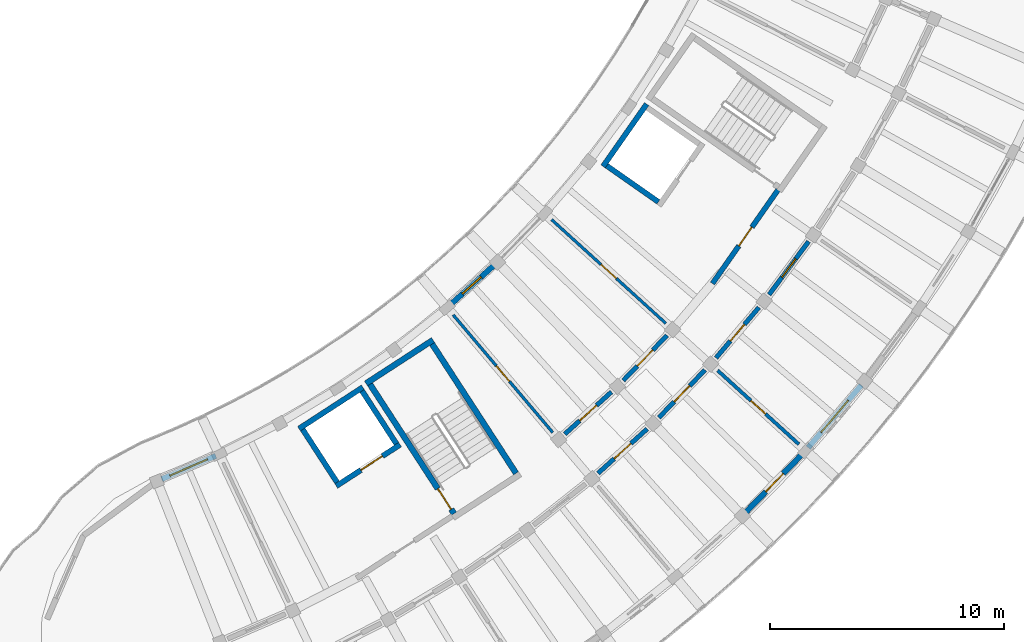
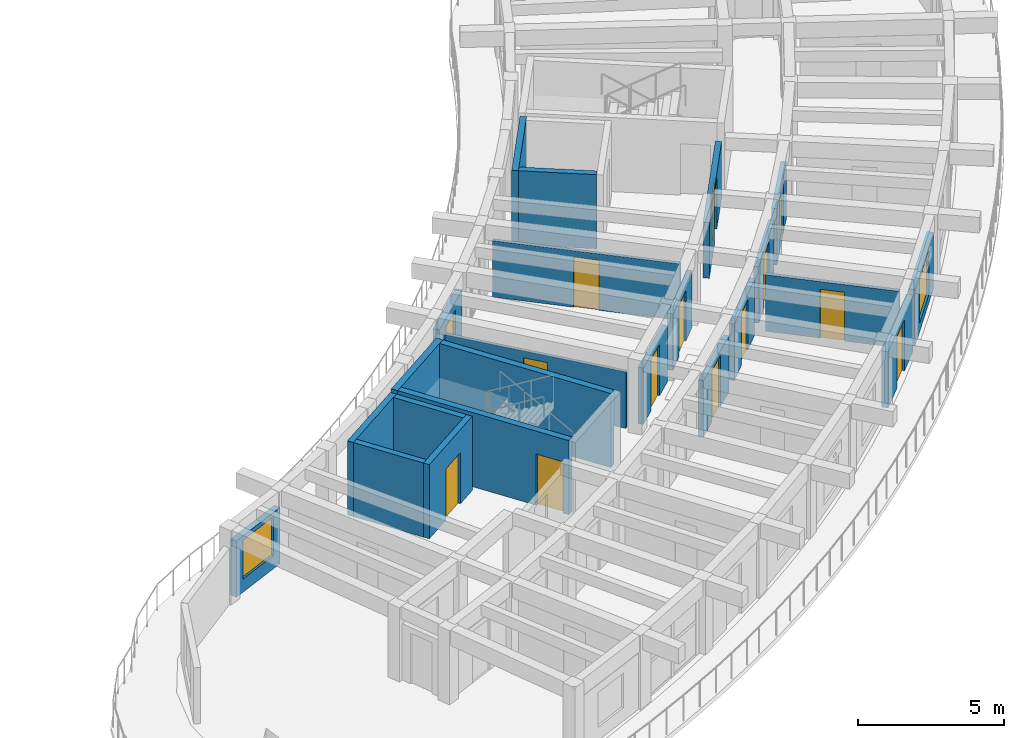
# One storey, part 53 of 83: 23 walls, 13 doors, 3 windows, 16 openings.
"""IFC4 building model written with IfcOpenShell, lengths in metres."""

from ifc_helpers import new_model, si_unit, direction, frame, frame_2d, origin, place, context, subcontext, project, spatial, rectangle, extrude, material, layer, layer_set, type_object, element, fill, save


model = new_model("IFC4")

# Units and contexts
model_context = context("Model", 3, precision=1e-05, world=origin(), true_north=direction((0.0, 1.0)))
body_context = subcontext(model_context, "Body", "Model", "MODEL_VIEW")
ifc_project = project(units=[si_unit("LENGTHUNIT", "METRE"), si_unit("AREAUNIT", "SQUARE_METRE"), si_unit("VOLUMEUNIT", "CUBIC_METRE"), si_unit("PLANEANGLEUNIT", "RADIAN"), si_unit("MASSUNIT", "GRAM", prefix="KILO")], contexts=[model_context])

# Site, building, storey
site_placement = place(None, origin())
site = spatial("IfcSite", under=ifc_project, at=site_placement, CompositionType="ELEMENT")
building_placement = place(site_placement, origin())
building = spatial("IfcBuilding", under=site, at=building_placement, Name="Tanwirah Colonnade Gardens", CompositionType="ELEMENT")
storey_placement = place(building_placement, frame((0.0, 0.0, 25.639892578125)))
storey = spatial("IfcBuildingStorey", under=building, at=storey_placement, Name="L07", CompositionType="ELEMENT", Elevation=25.639892578125)

# Wall, opening, window
ifc_material_1 = material(Name="Limestone architectural precast concrete C40/50", Category="masonry")
ifc_layer_1 = layer(ifc_material_1, 0.239990234375)
ifc_layer_set_1 = layer_set([ifc_layer_1], Name="Limestone architectural precast concrete C40/50")
wall_type_1 = type_object("IfcWallType", Name="EW-PC240", PredefinedType="SOLIDWALL", material=ifc_layer_set_1)
wall_1_placement = place(storey_placement, frame((137.49755859375, 23.232177734375, 0.0), z_axis=(0.0, 0.0, 1.0), x_axis=(0.917939882583, 0.39671951296, 0.0)))
wall_1 = element("IfcWall", 1, at=wall_1_placement, inside=storey, type_object=wall_type_1, Name="Block D L07 IN Precast Facade Wall 2", PredefinedType="SOLIDWALL", context=body_context, shape_type="SweptSolid", body=[
    extrude(rectangle(XDim=2.523681640625, YDim=0.239990234375, at=frame_2d((1.26171875, 0.0))), origin(), (0.0, 0.0, 1.0), 2.355224609375),
])
opening_1_placement = place(wall_1_placement, frame((0.3818359375, 0.0, 0.550048828125)))
opening_1 = element("IfcOpeningElement", 2, at=opening_1_placement, cuts=wall_1, Name="Opening WIN-U16", PredefinedType="OPENING", context=body_context, shape_type="SweptSolid", body=[
    extrude(rectangle(XDim=1.760009765625, YDim=1.635009765625, at=frame_2d((0.8798828125, 0.8173828125))), frame((0.0, 0.1298828125, 0.0), z_axis=(0.0, -1.0, 0.0), x_axis=(1.0, 0.0, 0.0)), (0.0, 0.0, 1.0), 0.260009765625),
])
ifc_material_2 = material(Name="Thermally broken bronze aluminium and solar low-E double glazing", Category="aluminium")
window_type_1 = type_object("IfcWindowType", Name="WIN-U16", PartitioningType="DOUBLE_PANEL_VERTICAL", PredefinedType="WINDOW", material=ifc_material_2)
window_1_placement = place(opening_1_placement, origin())
window_1 = element("IfcWindow", 3, at=window_1_placement, inside=storey, type_object=window_type_1, Name="Facade window D-L07-IN-02", OverallHeight=1.635009765625, OverallWidth=1.760009765625, PartitioningType="SINGLE_PANEL", PredefinedType="WINDOW", context=body_context, shape_type="SweptSolid", body=[
    extrude(rectangle(XDim=1.760009765625, YDim=1.635009765625, at=frame_2d((0.8798828125, 0.8173828125))), frame((0.0, 0.030029296875, 0.0), z_axis=(0.0, -1.0, 0.0), x_axis=(1.0, 0.0, 0.0)), (0.0, 0.0, 1.0), 0.06005859375),
])
fill(opening_1, window_1)

wall_2_placement = place(storey_placement, frame((149.8388671875, 30.681640625, 0.0), z_axis=(0.0, 0.0, 1.0), x_axis=(0.741670976634, 0.670763864873, 0.0)))
wall_2 = element("IfcWall", 4, at=wall_2_placement, inside=storey, type_object=wall_type_1, Name="Block D L07 IN Precast Facade Wall 7", PredefinedType="SOLIDWALL", context=body_context, shape_type="SweptSolid", body=[
    extrude(rectangle(XDim=2.523681640625, YDim=0.239990234375, at=frame_2d((1.26171875, 0.0))), origin(), (0.0, 0.0, 1.0), 2.355224609375),
])
opening_2_placement = place(wall_2_placement, frame((0.721923828125, 0.0, 0.550048828125)))
opening_2 = element("IfcOpeningElement", 5, at=opening_2_placement, cuts=wall_2, Name="Opening WIN-T15", PredefinedType="OPENING", context=body_context, shape_type="SweptSolid", body=[
    extrude(rectangle(XDim=1.080078125, YDim=1.449951171875, at=frame_2d((0.5400390625, 0.72509765625))), frame((0.0, 0.1298828125, 0.0), z_axis=(0.0, -1.0, 0.0), x_axis=(1.0, 0.0, 0.0)), (0.0, 0.0, 1.0), 0.260009765625),
])
window_type_2 = type_object("IfcWindowType", Name="WIN-T15", PartitioningType="SINGLE_PANEL", PredefinedType="WINDOW", material=ifc_material_2)
window_2_placement = place(opening_2_placement, origin())
window_2 = element("IfcWindow", 6, at=window_2_placement, inside=storey, type_object=window_type_2, Name="Facade window D-L07-IN-07", OverallHeight=1.449951171875, OverallWidth=1.080078125, PartitioningType="SINGLE_PANEL", PredefinedType="WINDOW", context=body_context, shape_type="SweptSolid", body=[
    extrude(rectangle(XDim=1.080078125, YDim=1.449951171875, at=frame_2d((0.5400390625, 0.72509765625))), frame((0.0, 0.030029296875, 0.0), z_axis=(0.0, -1.0, 0.0), x_axis=(1.0, 0.0, 0.0)), (0.0, 0.0, 1.0), 0.06005859375),
])
fill(opening_2, window_2)

# Wall, opening, door
wall_3_placement = place(storey_placement, frame((162.523681640625, 21.824951171875, 0.0), z_axis=(0.0, 0.0, 1.0), x_axis=(0.696213152496, 0.717835110797, 0.0)))
wall_3 = element("IfcWall", 7, at=wall_3_placement, inside=storey, type_object=wall_type_1, Name="Block D L07 OUT Precast Facade Wall 8", PredefinedType="SOLIDWALL", context=body_context, shape_type="SweptSolid", body=[
    extrude(rectangle(XDim=3.51171875, YDim=0.239990234375, at=frame_2d((1.755859375, 0.0))), origin(), (0.0, 0.0, 1.0), 2.355224609375),
])
opening_3_placement = place(wall_3_placement, frame((1.2158203125, 0.0, 0.0)))
opening_3 = element("IfcOpeningElement", 8, at=opening_3_placement, cuts=wall_3, Name="Opening L07-ED208", PredefinedType="OPENING", context=body_context, shape_type="SweptSolid", body=[
    extrude(rectangle(XDim=1.080078125, YDim=2.14990234375, at=frame_2d((0.5400390625, 1.074951171875))), frame((0.0, 0.1298828125, 0.0), z_axis=(0.0, -1.0, 0.0), x_axis=(1.0, 0.0, 0.0)), (0.0, 0.0, 1.0), 0.260009765625),
])
ifc_material_3 = material(Name="Bronze aluminium glazed balcony door", Category="aluminium")
door_type_1 = type_object("IfcDoorType", Name="ED-BAL108", OperationType="NOTDEFINED", PredefinedType="DOOR", material=ifc_material_3)
door_1_placement = place(opening_3_placement, origin())
door_1 = element("IfcDoor", 9, at=door_1_placement, inside=storey, type_object=door_type_1, Name="Balcony glazed door L07-ED208", OperationType="SINGLE_SWING_RIGHT", OverallHeight=2.14990234375, OverallWidth=1.080078125, PredefinedType="DOOR", context=body_context, shape_type="SweptSolid", body=[
    extrude(rectangle(XDim=1.080078125, YDim=2.14990234375, at=frame_2d((0.5400390625, 1.074951171875))), frame((0.0, 0.02490234375, 0.0), z_axis=(0.0, -1.0, 0.0), x_axis=(1.0, 0.0, 0.0)), (0.0, 0.0, 1.0), 0.050048828125),
])
fill(opening_3, door_1)

# Wall, opening, window
wall_4_placement = place(storey_placement, frame((165.18359375, 24.58251953125, 0.0), z_axis=(0.0, 0.0, 1.0), x_axis=(0.647797741835, 0.761812369074, 0.0)))
wall_4 = element("IfcWall", 10, at=wall_4_placement, inside=storey, type_object=wall_type_1, Name="Block D L07 OUT Precast Facade Wall 9", PredefinedType="SOLIDWALL", context=body_context, shape_type="SweptSolid", body=[
    extrude(rectangle(XDim=3.51171875, YDim=0.239990234375, at=frame_2d((1.755859375, 0.0))), origin(), (0.0, 0.0, 1.0), 2.355224609375),
])
opening_4_placement = place(wall_4_placement, frame((0.85595703125, 0.0, 0.35009765625)))
opening_4 = element("IfcOpeningElement", 11, at=opening_4_placement, cuts=wall_4, Name="Opening WIN-T14", PredefinedType="OPENING", context=body_context, shape_type="SweptSolid", body=[
    extrude(rectangle(XDim=1.800048828125, YDim=1.85009765625, at=frame_2d((0.89990234375, 0.925048828125))), frame((0.0, 0.1298828125, 0.0), z_axis=(0.0, -1.0, 0.0), x_axis=(1.0, 0.0, 0.0)), (0.0, 0.0, 1.0), 0.260009765625),
])
window_type_3 = type_object("IfcWindowType", Name="WIN-T14", PartitioningType="TRIPLE_PANEL_VERTICAL", PredefinedType="WINDOW", material=ifc_material_2)
window_3_placement = place(opening_4_placement, origin())
window_3 = element("IfcWindow", 12, at=window_3_placement, inside=storey, type_object=window_type_3, Name="Facade window D-L07-OUT-09", OverallHeight=1.85009765625, OverallWidth=1.800048828125, PartitioningType="SINGLE_PANEL", PredefinedType="WINDOW", context=body_context, shape_type="SweptSolid", body=[
    extrude(rectangle(XDim=1.800048828125, YDim=1.85009765625, at=frame_2d((0.89990234375, 0.925048828125))), frame((0.0, 0.030029296875, 0.0), z_axis=(0.0, -1.0, 0.0), x_axis=(1.0, 0.0, 0.0)), (0.0, 0.0, 1.0), 0.06005859375),
])
fill(opening_4, window_3)

# Wall, opening, door
ifc_material_4 = material(Name="Precast concrete C40/50", Category="concrete")
ifc_layer_2 = layer(ifc_material_4, 0.195068359375)
ifc_layer_set_2 = layer_set([ifc_layer_2], Name="Precast concrete C40/50")
wall_type_2 = type_object("IfcWallType", Name="IW-CORR195", PredefinedType="PARTITIONING", material=ifc_layer_set_2)
wall_5_placement = place(storey_placement, frame((156.1826171875, 23.48193359375, 0.0), z_axis=(0.0, 0.0, 1.0), x_axis=(0.741631592147, 0.670807410163, 0.0)))
wall_5 = element("IfcWall", 13, at=wall_5_placement, inside=storey, type_object=wall_type_2, Name="Block D L07 OUT Corridor Wall 7", PredefinedType="PARTITIONING", context=body_context, shape_type="SweptSolid", body=[
    extrude(rectangle(XDim=2.8369140625, YDim=0.195068359375, at=frame_2d((1.41845703125, 0.0))), origin(), (0.0, 0.0, 1.0), 2.3701171875),
])
opening_5_placement = place(wall_5_placement, frame((0.93359375, 0.0, 0.0)))
opening_5 = element("IfcOpeningElement", 14, at=opening_5_placement, cuts=wall_5, Name="Opening L07-AD1913", PredefinedType="OPENING", context=body_context, shape_type="SweptSolid", body=[
    extrude(rectangle(XDim=0.969970703125, YDim=2.14990234375, at=frame_2d((0.48486328125, 1.074951171875))), frame((0.0, 0.107421875, 0.0), z_axis=(0.0, -1.0, 0.0), x_axis=(1.0, 0.0, 0.0)), (0.0, 0.0, 1.0), 0.215087890625),
])
ifc_material_5 = material(Name="Solid oak fire-resisting apartment entrance door")
door_type_2 = type_object("IfcDoorType", Name="ID-FLT097", OperationType="NOTDEFINED", PredefinedType="DOOR", material=ifc_material_5)
door_2_placement = place(opening_5_placement, origin())
door_2 = element("IfcDoor", 15, at=door_2_placement, inside=storey, type_object=door_type_2, Name="Apartment corridor door L07-AD1913", OperationType="SINGLE_SWING_LEFT", OverallHeight=2.14990234375, OverallWidth=0.969970703125, PredefinedType="DOOR", context=body_context, shape_type="SweptSolid", body=[
    extrude(rectangle(XDim=0.969970703125, YDim=2.14990234375, at=frame_2d((0.48486328125, 1.074951171875))), frame((0.0, 0.02490234375, 0.0), z_axis=(0.0, -1.0, 0.0), x_axis=(1.0, 0.0, 0.0)), (0.0, 0.0, 1.0), 0.050048828125),
])
fill(opening_5, door_2)

wall_6_placement = place(storey_placement, frame((154.76123046875, 25.1611328125, 0.0), z_axis=(0.0, 0.0, 1.0), x_axis=(0.74166462946, 0.670770882945, 0.0)))
wall_6 = element("IfcWall", 16, at=wall_6_placement, inside=storey, type_object=wall_type_2, Name="Block D L07 IN Corridor Wall 7", PredefinedType="PARTITIONING", context=body_context, shape_type="SweptSolid", body=[
    extrude(rectangle(XDim=2.693115234375, YDim=0.195068359375, at=frame_2d((1.3466796875, 0.0))), origin(), (0.0, 0.0, 1.0), 2.3701171875),
])
opening_6_placement = place(wall_6_placement, frame((0.861572265625, 0.0, 0.0)))
opening_6 = element("IfcOpeningElement", 17, at=opening_6_placement, cuts=wall_6, Name="Opening L07-AD1914", PredefinedType="OPENING", context=body_context, shape_type="SweptSolid", body=[
    extrude(rectangle(XDim=0.969970703125, YDim=2.14990234375, at=frame_2d((0.48486328125, 1.074951171875))), frame((0.0, 0.107421875, 0.0), z_axis=(0.0, -1.0, 0.0), x_axis=(1.0, 0.0, 0.0)), (0.0, 0.0, 1.0), 0.215087890625),
])
door_3_placement = place(opening_6_placement, origin())
door_3 = element("IfcDoor", 18, at=door_3_placement, inside=storey, type_object=door_type_2, Name="Apartment corridor door L07-AD1914", OperationType="SINGLE_SWING_RIGHT", OverallHeight=2.14990234375, OverallWidth=0.969970703125, PredefinedType="DOOR", context=body_context, shape_type="SweptSolid", body=[
    extrude(rectangle(XDim=0.969970703125, YDim=2.14990234375, at=frame_2d((0.48486328125, 1.074951171875))), frame((0.0, 0.02490234375, 0.0), z_axis=(0.0, -1.0, 0.0), x_axis=(1.0, 0.0, 0.0)), (0.0, 0.0, 1.0), 0.050048828125),
])
fill(opening_6, door_3)

wall_7_placement = place(storey_placement, frame((158.7900390625, 25.870849609375, 0.0), z_axis=(0.0, 0.0, 1.0), x_axis=(0.696223786753, 0.717824796701, 0.0)))
wall_7 = element("IfcWall", 19, at=wall_7_placement, inside=storey, type_object=wall_type_2, Name="Block D L07 OUT Corridor Wall 8", PredefinedType="PARTITIONING", context=body_context, shape_type="SweptSolid", body=[
    extrude(rectangle(XDim=2.8369140625, YDim=0.195068359375, at=frame_2d((1.41845703125, 0.0))), origin(), (0.0, 0.0, 1.0), 2.3701171875),
])
opening_7_placement = place(wall_7_placement, frame((0.943603515625, 0.0, 0.0)))
opening_7 = element("IfcOpeningElement", 20, at=opening_7_placement, cuts=wall_7, Name="Opening L07-AD1915", PredefinedType="OPENING", context=body_context, shape_type="SweptSolid", body=[
    extrude(rectangle(XDim=0.949951171875, YDim=2.1298828125, at=frame_2d((0.47509765625, 1.06494140625))), frame((0.0, 0.107421875, 0.0), z_axis=(0.0, -1.0, 0.0), x_axis=(1.0, 0.0, 0.0)), (0.0, 0.0, 1.0), 0.215087890625),
])
door_type_3 = type_object("IfcDoorType", Name="ID-FLT095", OperationType="NOTDEFINED", PredefinedType="DOOR", material=ifc_material_5)
door_4_placement = place(opening_7_placement, origin())
door_4 = element("IfcDoor", 21, at=door_4_placement, inside=storey, type_object=door_type_3, Name="Apartment corridor door L07-AD1915", OperationType="SINGLE_SWING_RIGHT", OverallHeight=2.1298828125, OverallWidth=0.949951171875, PredefinedType="DOOR", context=body_context, shape_type="SweptSolid", body=[
    extrude(rectangle(XDim=0.949951171875, YDim=2.1298828125, at=frame_2d((0.47509765625, 1.06494140625))), frame((0.0, 0.02490234375, 0.0), z_axis=(0.0, -1.0, 0.0), x_axis=(1.0, 0.0, 0.0)), (0.0, 0.0, 1.0), 0.050048828125),
])
fill(opening_7, door_4)

wall_8_placement = place(storey_placement, frame((157.26171875, 27.453369140625, 0.0), z_axis=(0.0, 0.0, 1.0), x_axis=(0.696236443412, 0.717812520694, 0.0)))
wall_8 = element("IfcWall", 22, at=wall_8_placement, inside=storey, type_object=wall_type_2, Name="Block D L07 IN Corridor Wall 8", PredefinedType="PARTITIONING", context=body_context, shape_type="SweptSolid", body=[
    extrude(rectangle(XDim=2.693115234375, YDim=0.195068359375, at=frame_2d((1.3466796875, 0.0))), origin(), (0.0, 0.0, 1.0), 2.3701171875),
])
opening_8_placement = place(wall_8_placement, frame((0.87158203125, 0.0, 0.0)))
opening_8 = element("IfcOpeningElement", 23, at=opening_8_placement, cuts=wall_8, Name="Opening L07-AD1916", PredefinedType="OPENING", context=body_context, shape_type="SweptSolid", body=[
    extrude(rectangle(XDim=0.949951171875, YDim=2.1298828125, at=frame_2d((0.47509765625, 1.06494140625))), frame((0.0, 0.107421875, 0.0), z_axis=(0.0, -1.0, 0.0), x_axis=(1.0, 0.0, 0.0)), (0.0, 0.0, 1.0), 0.215087890625),
])
door_5_placement = place(opening_8_placement, origin())
door_5 = element("IfcDoor", 24, at=door_5_placement, inside=storey, type_object=door_type_3, Name="Apartment corridor door L07-AD1916", OperationType="SINGLE_SWING_LEFT", OverallHeight=2.1298828125, OverallWidth=0.949951171875, PredefinedType="DOOR", context=body_context, shape_type="SweptSolid", body=[
    extrude(rectangle(XDim=0.949951171875, YDim=2.1298828125, at=frame_2d((0.47509765625, 1.06494140625))), frame((0.0, 0.02490234375, 0.0), z_axis=(0.0, -1.0, 0.0), x_axis=(1.0, 0.0, 0.0)), (0.0, 0.0, 1.0), 0.050048828125),
])
fill(opening_8, door_5)

wall_9_placement = place(storey_placement, frame((161.235595703125, 28.42529296875, 0.0), z_axis=(0.0, 0.0, 1.0), x_axis=(0.64778830669, 0.761820392032, 0.0)))
wall_9 = element("IfcWall", 25, at=wall_9_placement, inside=storey, type_object=wall_type_2, Name="Block D L07 OUT Corridor Wall 9", PredefinedType="PARTITIONING", context=body_context, shape_type="SweptSolid", body=[
    extrude(rectangle(XDim=2.8369140625, YDim=0.195068359375, at=frame_2d((1.41845703125, 0.0))), origin(), (0.0, 0.0, 1.0), 2.3701171875),
])
opening_9_placement = place(wall_9_placement, frame((0.95361328125, 0.0, 0.0)))
opening_9 = element("IfcOpeningElement", 26, at=opening_9_placement, cuts=wall_9, Name="Opening L07-AD1919", PredefinedType="OPENING", context=body_context, shape_type="SweptSolid", body=[
    extrude(rectangle(XDim=0.929931640625, YDim=2.1201171875, at=frame_2d((0.46484375, 1.06005859375))), frame((0.0, 0.107421875, 0.0), z_axis=(0.0, -1.0, 0.0), x_axis=(1.0, 0.0, 0.0)), (0.0, 0.0, 1.0), 0.215087890625),
])
door_type_4 = type_object("IfcDoorType", Name="ID-FLT093", OperationType="NOTDEFINED", PredefinedType="DOOR", material=ifc_material_5)
door_6_placement = place(opening_9_placement, origin())
door_6 = element("IfcDoor", 27, at=door_6_placement, inside=storey, type_object=door_type_4, Name="Apartment corridor door L07-AD1919", OperationType="SINGLE_SWING_LEFT", OverallHeight=2.1201171875, OverallWidth=0.929931640625, PredefinedType="DOOR", context=body_context, shape_type="SweptSolid", body=[
    extrude(rectangle(XDim=0.929931640625, YDim=2.1201171875, at=frame_2d((0.46484375, 1.06005859375))), frame((0.0, 0.02490234375, 0.0), z_axis=(0.0, -1.0, 0.0), x_axis=(1.0, 0.0, 0.0)), (0.0, 0.0, 1.0), 0.050048828125),
])
fill(opening_9, door_6)

wall_10_placement = place(storey_placement, frame((163.5087890625, 31.134033203125, 0.0), z_axis=(0.0, 0.0, 1.0), x_axis=(0.596552136601, 0.802574325727, 0.0)))
wall_10 = element("IfcWall", 28, at=wall_10_placement, inside=storey, type_object=wall_type_2, Name="Block D L07 OUT Corridor Wall 10", PredefinedType="PARTITIONING", context=body_context, shape_type="SweptSolid", body=[
    extrude(rectangle(XDim=2.8369140625, YDim=0.195068359375, at=frame_2d((1.41845703125, 0.0))), origin(), (0.0, 0.0, 1.0), 2.3701171875),
])
opening_10_placement = place(wall_10_placement, frame((0.923583984375, 0.0, 0.0)))
opening_10 = element("IfcOpeningElement", 29, at=opening_10_placement, cuts=wall_10, Name="Opening L07-AD1920", PredefinedType="OPENING", context=body_context, shape_type="SweptSolid", body=[
    extrude(rectangle(XDim=0.989990234375, YDim=2.159912109375, at=frame_2d((0.4951171875, 1.080078125))), frame((0.0, 0.107421875, 0.0), z_axis=(0.0, -1.0, 0.0), x_axis=(1.0, 0.0, 0.0)), (0.0, 0.0, 1.0), 0.215087890625),
])
door_type_5 = type_object("IfcDoorType", Name="ID-FLT099", OperationType="NOTDEFINED", PredefinedType="DOOR", material=ifc_material_5)
door_7_placement = place(opening_10_placement, origin())
door_7 = element("IfcDoor", 30, at=door_7_placement, inside=storey, type_object=door_type_5, Name="Apartment corridor door L07-AD1920", OperationType="SINGLE_SWING_RIGHT", OverallHeight=2.159912109375, OverallWidth=0.989990234375, PredefinedType="DOOR", context=body_context, shape_type="SweptSolid", body=[
    extrude(rectangle(XDim=0.989990234375, YDim=2.159912109375, at=frame_2d((0.4951171875, 1.080078125))), frame((0.0, 0.02490234375, 0.0), z_axis=(0.0, -1.0, 0.0), x_axis=(1.0, 0.0, 0.0)), (0.0, 0.0, 1.0), 0.050048828125),
])
fill(opening_10, door_7)

ifc_material_6 = material(Name="Autoclaved aerated masonry blockwork", Category="masonry")
ifc_layer_3 = layer(ifc_material_6, 0.219970703125)
ifc_layer_set_3 = layer_set([ifc_layer_3], Name="Autoclaved aerated masonry blockwork")
wall_type_3 = type_object("IfcWallType", Name="IW-FFL220", PredefinedType="PARTITIONING", material=ifc_layer_set_3)
wall_11_placement = place(storey_placement, frame((163.89501953125, 35.624267578125, 0.0), z_axis=(0.0, 0.0, 1.0), x_axis=(-0.573572687386, -0.819154669329, 0.0)))
wall_11 = element("IfcWall", 31, at=wall_11_placement, inside=storey, type_object=wall_type_3, Name="CORE-D2 L07 Enclosed Lobby Fire Wall", PredefinedType="PARTITIONING", context=body_context, shape_type="SweptSolid", body=[
    extrude(rectangle(XDim=4.900146484375, YDim=0.219970703125, at=frame_2d((2.4501953125, 0.0))), origin(), (0.0, 0.0, 1.0), 2.340087890625),
])
opening_11_placement = place(wall_11_placement, frame((1.949951171875, 0.0, 0.0)))
opening_11 = element("IfcOpeningElement", 32, at=opening_11_placement, cuts=wall_11, Name="Opening L07-LD207", PredefinedType="OPENING", context=body_context, shape_type="SweptSolid", body=[
    extrude(rectangle(XDim=0.97998046875, YDim=2.139892578125, at=frame_2d((0.489990234375, 1.06982421875))), frame((0.0, 0.119873046875, 0.0), z_axis=(0.0, -1.0, 0.0), x_axis=(1.0, 0.0, 0.0)), (0.0, 0.0, 1.0), 0.239990234375),
])
ifc_material_7 = material(Name="Acoustic fire-resisting lobby door")
door_type_6 = type_object("IfcDoorType", Name="ID-FFL098", OperationType="NOTDEFINED", PredefinedType="DOOR", material=ifc_material_7)
door_8_placement = place(opening_11_placement, origin())
door_8 = element("IfcDoor", 33, at=door_8_placement, inside=storey, type_object=door_type_6, Name="CORE-D2 L07 Lobby Fire Door L07-LD207", OperationType="SINGLE_SWING_RIGHT", OverallHeight=2.139892578125, OverallWidth=0.97998046875, PredefinedType="DOOR", context=body_context, shape_type="SweptSolid", body=[
    extrude(rectangle(XDim=0.97998046875, YDim=2.139892578125, at=frame_2d((0.489990234375, 1.06982421875))), frame((0.0, 0.02490234375, 0.0), z_axis=(0.0, -1.0, 0.0), x_axis=(1.0, 0.0, 0.0)), (0.0, 0.0, 1.0), 0.050048828125),
])
fill(opening_11, door_8)

ifc_material_8 = material(Name="Moisture-resistant gypsum stud partition")
ifc_layer_4 = layer(ifc_material_8, 0.125)
ifc_layer_set_4 = layer_set([ifc_layer_4], Name="Moisture-resistant gypsum stud partition")
wall_type_4 = type_object("IfcWallType", Name="IW-INT125", PredefinedType="PARTITIONING", material=ifc_layer_set_4)
wall_12_placement = place(storey_placement, frame((149.978759765625, 30.26904296875, 0.0), z_axis=(0.0, 0.0, 1.0), x_axis=(0.646121311019, -0.763234728932, 0.0)))
wall_12 = element("IfcWall", 34, at=wall_12_placement, inside=storey, type_object=wall_type_4, Name="Block D L07 Inner Radial Partition 6", PredefinedType="PARTITIONING", context=body_context, shape_type="SweptSolid", body=[
    extrude(rectangle(XDim=6.60009765625, YDim=0.125, at=frame_2d((3.300048828125, 0.0))), origin(), (0.0, 0.0, 1.0), 2.3701171875),
])
opening_12_placement = place(wall_12_placement, frame((2.864990234375, 0.0, 0.0)))
opening_12 = element("IfcOpeningElement", 35, at=opening_12_placement, cuts=wall_12, Name="Opening L07-RD1912", PredefinedType="OPENING", context=body_context, shape_type="SweptSolid", body=[
    extrude(rectangle(XDim=0.8701171875, YDim=2.080078125, at=frame_2d((0.43505859375, 1.0400390625))), frame((0.0, 0.072509765625, 0.0), z_axis=(0.0, -1.0, 0.0), x_axis=(1.0, 0.0, 0.0)), (0.0, 0.0, 1.0), 0.14501953125),
])
ifc_material_9 = material(Name="Painted hardwood study door", Category="wood")
door_type_7 = type_object("IfcDoorType", Name="ID-RM087", OperationType="NOTDEFINED", PredefinedType="DOOR", material=ifc_material_9)
door_9_placement = place(opening_12_placement, origin())
door_9 = element("IfcDoor", 36, at=door_9_placement, inside=storey, type_object=door_type_7, Name="Internal apartment door L07-RD1912", OperationType="SINGLE_SWING_LEFT", OverallHeight=2.080078125, OverallWidth=0.8701171875, PredefinedType="DOOR", context=body_context, shape_type="SweptSolid", body=[
    extrude(rectangle(XDim=0.8701171875, YDim=2.080078125, at=frame_2d((0.43505859375, 1.0400390625))), frame((0.0, 0.02490234375, 0.0), z_axis=(0.0, -1.0, 0.0), x_axis=(1.0, 0.0, 0.0)), (0.0, 0.0, 1.0), 0.050048828125),
])
fill(opening_12, door_9)

wall_13_placement = place(storey_placement, frame((154.19873046875, 34.34423828125, 0.0), z_axis=(0.0, 0.0, 1.0), x_axis=(0.74023124711, -0.672352363573, 0.0)))
wall_13 = element("IfcWall", 37, at=wall_13_placement, inside=storey, type_object=wall_type_4, Name="Block D L07 Inner Radial Partition 8", PredefinedType="PARTITIONING", context=body_context, shape_type="SweptSolid", body=[
    extrude(rectangle(XDim=6.599853515625, YDim=0.125, at=frame_2d((3.2998046875, 0.0))), origin(), (0.0, 0.0, 1.0), 2.3701171875),
])
opening_13_placement = place(wall_13_placement, frame((2.85498046875, 0.0, 0.0)))
opening_13 = element("IfcOpeningElement", 38, at=opening_13_placement, cuts=wall_13, Name="Opening L07-RD1918", PredefinedType="OPENING", context=body_context, shape_type="SweptSolid", body=[
    extrude(rectangle(XDim=0.889892578125, YDim=2.10009765625, at=frame_2d((0.44482421875, 1.050048828125))), frame((0.0, 0.072509765625, 0.0), z_axis=(0.0, -1.0, 0.0), x_axis=(1.0, 0.0, 0.0)), (0.0, 0.0, 1.0), 0.14501953125),
])
ifc_material_10 = material(Name="Painted hardwood bedroom door", Category="wood")
door_type_8 = type_object("IfcDoorType", Name="ID-RM089", OperationType="NOTDEFINED", PredefinedType="DOOR", material=ifc_material_10)
door_10_placement = place(opening_13_placement, origin())
door_10 = element("IfcDoor", 39, at=door_10_placement, inside=storey, type_object=door_type_8, Name="Internal apartment door L07-RD1918", OperationType="SINGLE_SWING_LEFT", OverallHeight=2.10009765625, OverallWidth=0.889892578125, PredefinedType="DOOR", context=body_context, shape_type="SweptSolid", body=[
    extrude(rectangle(XDim=0.889892578125, YDim=2.10009765625, at=frame_2d((0.44482421875, 1.050048828125))), frame((0.0, 0.02490234375, 0.0), z_axis=(0.0, -1.0, 0.0), x_axis=(1.0, 0.0, 0.0)), (0.0, 0.0, 1.0), 0.050048828125),
])
fill(opening_13, door_10)

ifc_material_11 = material(Name="Water-resistant acoustic plumbing partition")
ifc_layer_5 = layer(ifc_material_11, 0.14990234375)
ifc_layer_set_5 = layer_set([ifc_layer_5], Name="Water-resistant acoustic plumbing partition")
wall_type_5 = type_object("IfcWallType", Name="IW-WET150", PredefinedType="PLUMBINGWALL", material=ifc_layer_set_5)
wall_14_placement = place(storey_placement, frame((161.304931640625, 27.8896484375, 0.0), z_axis=(0.0, 0.0, 1.0), x_axis=(0.740212663782, -0.672372822456, 0.0)))
wall_14 = element("IfcWall", 40, at=wall_14_placement, inside=storey, type_object=wall_type_5, Name="Block D L07 Radial Partition 8", PredefinedType="PLUMBINGWALL", context=body_context, shape_type="SweptSolid", body=[
    extrude(rectangle(XDim=4.699951171875, YDim=0.14990234375, at=frame_2d((2.35009765625, 0.0))), origin(), (0.0, 0.0, 1.0), 2.3701171875),
])
opening_14_placement = place(wall_14_placement, frame((1.925048828125, 0.0, 0.0)))
opening_14 = element("IfcOpeningElement", 41, at=opening_14_placement, cuts=wall_14, Name="Opening L07-RD1917", PredefinedType="OPENING", context=body_context, shape_type="SweptSolid", body=[
    extrude(rectangle(XDim=0.85009765625, YDim=2.050048828125, at=frame_2d((0.425048828125, 1.02490234375))), frame((0.0, 0.0849609375, 0.0), z_axis=(0.0, -1.0, 0.0), x_axis=(1.0, 0.0, 0.0)), (0.0, 0.0, 1.0), 0.169921875),
])
ifc_material_12 = material(Name="Moisture-resistant en-suite door")
door_type_9 = type_object("IfcDoorType", Name="ID-WET085", OperationType="NOTDEFINED", PredefinedType="DOOR", material=ifc_material_12)
door_11_placement = place(opening_14_placement, origin())
door_11 = element("IfcDoor", 42, at=door_11_placement, inside=storey, type_object=door_type_9, Name="Internal apartment door L07-RD1917", OperationType="SINGLE_SWING_RIGHT", OverallHeight=2.050048828125, OverallWidth=0.85009765625, PredefinedType="DOOR", context=body_context, shape_type="SweptSolid", body=[
    extrude(rectangle(XDim=0.85009765625, YDim=2.050048828125, at=frame_2d((0.425048828125, 1.02490234375))), frame((0.0, 0.02490234375, 0.0), z_axis=(0.0, -1.0, 0.0), x_axis=(1.0, 0.0, 0.0)), (0.0, 0.0, 1.0), 0.050048828125),
])
fill(opening_14, door_11)

# Walls
ifc_material_13 = material(Name="Concrete C45/55", Category="concrete")
ifc_layer_6 = layer(ifc_material_13, 0.25)
ifc_layer_set_6 = layer_set([ifc_layer_6], Name="Concrete C45/55")
wall_type_6 = type_object("IfcWallType", Name="SW-CORE250", PredefinedType="SHEAR", material=ifc_layer_set_6)
wall_15_placement = place(storey_placement, frame((152.674072265625, 23.48388671875, 0.0), z_axis=(0.0, 0.0, 1.0), x_axis=(-0.544655453679, 0.838659905312, 0.0)))
element("IfcWall", 43, at=wall_15_placement, inside=storey, type_object=wall_type_6, Name="CORE-D1 L07 Stair Shaft Shear Wall LEFT", PredefinedType="SHEAR", context=body_context, shape_type="SweptSolid", body=[
    extrude(rectangle(XDim=6.60009765625, YDim=0.25, at=frame_2d((3.300048828125, 0.0))), origin(), (0.0, 0.0, 1.0), 3.110107421875),
])
wall_16_placement = place(storey_placement, frame((149.1162109375, 29.19189453125, 0.0), z_axis=(0.0, 0.0, 1.0), x_axis=(-0.838699580527, -0.544594356953, 0.0)))
element("IfcWall", 44, at=wall_16_placement, inside=storey, type_object=wall_type_6, Name="CORE-D1 L07 Stair Shaft Shear Wall FAR", PredefinedType="SHEAR", context=body_context, shape_type="SweptSolid", body=[
    extrude(rectangle(XDim=3.420166015625, YDim=0.25, at=frame_2d((1.7099609375, 0.0))), origin(), (0.0, 0.0, 1.0), 3.110107421875),
])

# Wall, opening, door
wall_17_placement = place(storey_placement, frame((150.015380859375, 21.75732421875, 0.0), z_axis=(0.0, 0.0, 1.0), x_axis=(-0.544629435258, 0.838676802022, 0.0)))
wall_17 = element("IfcWall", 45, at=wall_17_placement, inside=storey, type_object=wall_type_6, Name="CORE-D1 L07 Stair Shaft Shear Wall RIGHT", PredefinedType="SHEAR", context=body_context, shape_type="SweptSolid", body=[
    extrude(rectangle(XDim=6.599853515625, YDim=0.25, at=frame_2d((3.2998046875, 0.0))), origin(), (0.0, 0.0, 1.0), 3.110107421875),
])
opening_15_placement = place(wall_17_placement, frame((0.219970703125, 0.0, 0.0)))
opening_15 = element("IfcOpeningElement", 46, at=opening_15_placement, cuts=wall_17, Name="Opening L07-SD177", PredefinedType="OPENING", context=body_context, shape_type="SweptSolid", body=[
    extrude(rectangle(XDim=1.050048828125, YDim=2.14990234375, at=frame_2d((0.52490234375, 1.074951171875))), frame((0.0, 0.135009765625, 0.0), z_axis=(0.0, -1.0, 0.0), x_axis=(1.0, 0.0, 0.0)), (0.0, 0.0, 1.0), 0.27001953125),
])
ifc_material_14 = material(Name="Steel fire-resisting stair enclosure door", Category="steel")
door_type_10 = type_object("IfcDoorType", Name="ID-ST105", OperationType="NOTDEFINED", PredefinedType="DOOR", material=ifc_material_14)
door_12_placement = place(opening_15_placement, origin())
door_12 = element("IfcDoor", 47, at=door_12_placement, inside=storey, type_object=door_type_10, Name="CORE-D1 L07 Stair Fire Door L07-SD177", OperationType="SINGLE_SWING_RIGHT", OverallHeight=2.14990234375, OverallWidth=1.050048828125, PredefinedType="DOOR", context=body_context, shape_type="SweptSolid", body=[
    extrude(rectangle(XDim=1.050048828125, YDim=2.14990234375, at=frame_2d((0.52490234375, 1.074951171875))), frame((0.0, 0.02490234375, 0.0), z_axis=(0.0, -1.0, 0.0), x_axis=(1.0, 0.0, 0.0)), (0.0, 0.0, 1.0), 0.050048828125),
])
fill(opening_15, door_12)

ifc_layer_7 = layer(ifc_material_13, 0.22998046875)
ifc_layer_set_7 = layer_set([ifc_layer_7], Name="Concrete C45/55")
wall_type_7 = type_object("IfcWallType", Name="SW-LIFT230", PredefinedType="SHEAR", material=ifc_layer_set_7)
wall_18_placement = place(storey_placement, frame((147.70849609375, 24.712646484375, 0.0), z_axis=(0.0, 0.0, 1.0), x_axis=(-0.838672833615, -0.544635546173, 0.0)))
wall_18 = element("IfcWall", 48, at=wall_18_placement, inside=storey, type_object=wall_type_7, Name="CORE-D1 L07 Lift Shaft Wall FRONT", PredefinedType="SHEAR", context=body_context, shape_type="SweptSolid", body=[
    extrude(rectangle(XDim=3.259765625, YDim=0.22998046875, at=frame_2d((1.6298828125, 0.0))), origin(), (0.0, 0.0, 1.0), 3.110107421875),
])
opening_16_placement = place(wall_18_placement, frame((0.89990234375, 0.0, 0.0)))
opening_16 = element("IfcOpeningElement", 49, at=opening_16_placement, cuts=wall_18, Name="Opening L07-LD-FL-D1", PredefinedType="OPENING", context=body_context, shape_type="SweptSolid", body=[
    extrude(rectangle(XDim=1.10009765625, YDim=2.14990234375, at=frame_2d((0.550048828125, 1.074951171875))), frame((0.0, 0.125, 0.0), z_axis=(0.0, -1.0, 0.0), x_axis=(1.0, 0.0, 0.0)), (0.0, 0.0, 1.0), 0.25),
])
ifc_material_15 = material(Name="Stainless steel sliding fire lift landing door", Category="steel")
door_type_11 = type_object("IfcDoorType", Name="LD-FF11", OperationType="DOUBLE_DOOR_SLIDING", PredefinedType="DOOR", material=ifc_material_15)
door_13_placement = place(opening_16_placement, origin())
door_13 = element("IfcDoor", 50, at=door_13_placement, inside=storey, type_object=door_type_11, Name="Lift FL-D1 L07 Sliding Landing Door", OperationType="DOUBLE_DOOR_SLIDING", OverallHeight=2.14990234375, OverallWidth=1.10009765625, PredefinedType="DOOR", context=body_context, shape_type="SweptSolid", body=[
    extrude(rectangle(XDim=1.10009765625, YDim=2.14990234375, at=frame_2d((0.550048828125, 1.074951171875))), frame((0.0, 0.02490234375, 0.0), z_axis=(0.0, -1.0, 0.0), x_axis=(1.0, 0.0, 0.0)), (0.0, 0.0, 1.0), 0.050048828125),
])
fill(opening_16, door_13)

# Walls
wall_19_placement = place(storey_placement, frame((146.11279296875, 27.169921875, 0.0), z_axis=(0.0, 0.0, 1.0), x_axis=(-0.838695047431, -0.544601338058, 0.0)))
element("IfcWall", 51, at=wall_19_placement, inside=storey, type_object=wall_type_7, Name="CORE-D1 L07 Lift Shaft Wall BACK", PredefinedType="SHEAR", context=body_context, shape_type="SweptSolid", body=[
    extrude(rectangle(XDim=3.260009765625, YDim=0.22998046875, at=frame_2d((1.6298828125, 0.0))), origin(), (0.0, 0.0, 1.0), 3.110107421875),
])
for number, where, z_axis, x_axis, name in (
    (52, (147.549560546875, 24.74658203125, 0.0), (0.0, 0.0, 1.0), (-0.544622789439, 0.838681117722, 0.0), "CORE-D1 L07 Lift Shaft Wall SIDEA"),
    (53, (145.00830078125, 23.09619140625, 0.0), (0.0, 0.0, 1.0), (-0.544622789439, 0.838681117722, 0.0), "CORE-D1 L07 Lift Shaft Wall SIDEB"),
):
    element("IfcWall", number, at=place(storey_placement, frame(where, z_axis=z_axis, x_axis=x_axis)), inside=storey, type_object=wall_type_7, Name=name, PredefinedType="SHEAR", context=body_context, shape_type="SweptSolid", body=[
        extrude(rectangle(XDim=2.699951171875, YDim=0.22998046875, at=frame_2d((1.35009765625, 0.0))), origin(), (0.0, 0.0, 1.0), 3.110107421875),
    ])
wall_20_placement = place(storey_placement, frame((158.268310546875, 39.295654296875, 0.0), z_axis=(0.0, 0.0, 1.0), x_axis=(-0.573582966431, -0.819147471839, 0.0)))
element("IfcWall", 54, at=wall_20_placement, inside=storey, type_object=wall_type_7, Name="CORE-D2 L07 Lift Shaft Wall BACK", PredefinedType="SHEAR", context=body_context, shape_type="SweptSolid", body=[
    extrude(rectangle(XDim=3.260009765625, YDim=0.22998046875, at=frame_2d((1.6298828125, 0.0))), origin(), (0.0, 0.0, 1.0), 3.110107421875),
])
wall_21_placement = place(storey_placement, frame((158.770263671875, 35.104736328125, 0.0), z_axis=(0.0, 0.0, 1.0), x_axis=(-0.819117209968, 0.573626181702, 0.0)))
element("IfcWall", 55, at=wall_21_placement, inside=storey, type_object=wall_type_7, Name="CORE-D2 L07 Lift Shaft Wall SIDEB", PredefinedType="SHEAR", context=body_context, shape_type="SweptSolid", body=[
    extrude(rectangle(XDim=2.699951171875, YDim=0.22998046875, at=frame_2d((1.35009765625, 0.0))), origin(), (0.0, 0.0, 1.0), 3.110107421875),
])

save(model, "model.ifc")
